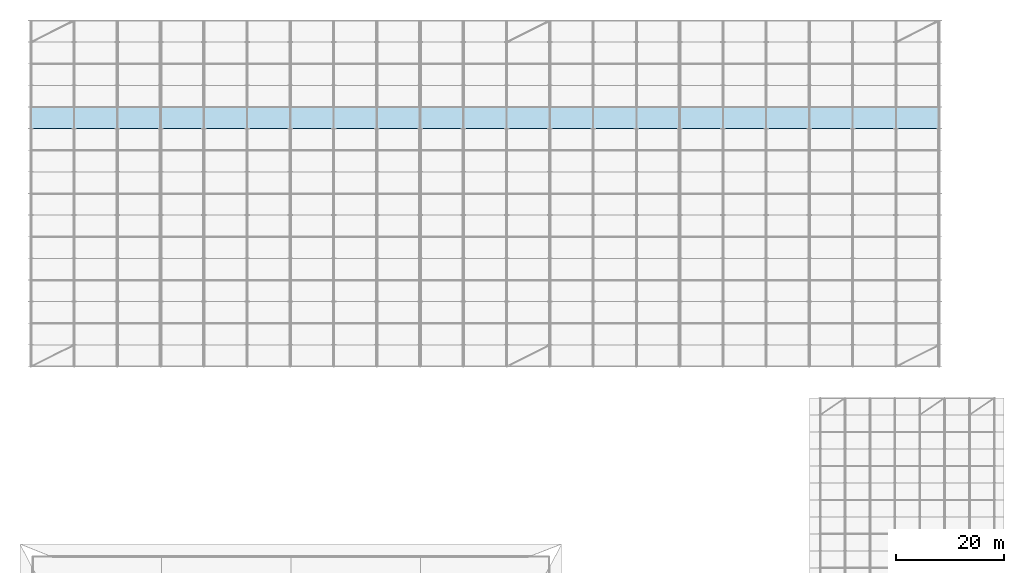
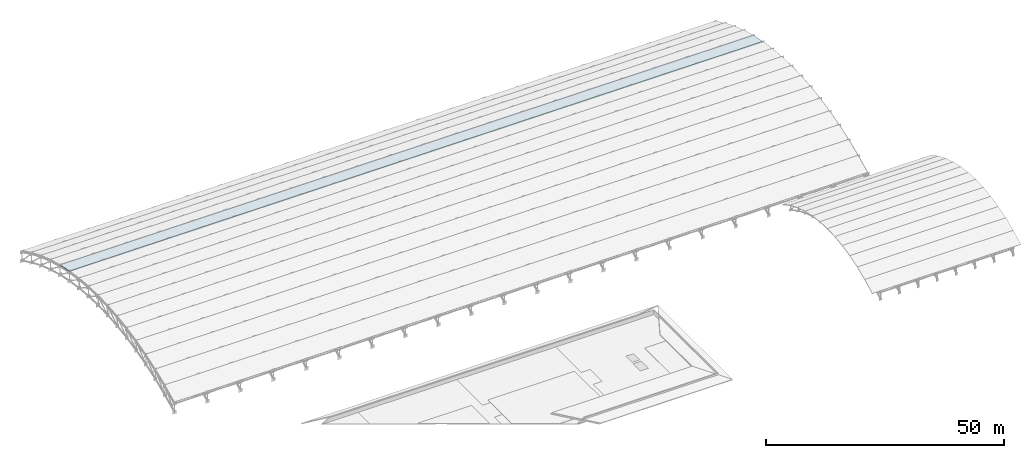
# One storey, part 84 of 98: 1 slab.
"""IFC4 building model written with IfcOpenShell, lengths in metres."""

from ifc_helpers import new_model, si_unit, direction, frame, origin, place, context, subcontext, project, spatial, polyline, outline, extrude, material, layer, layer_set, type_object, element, save


model = new_model("IFC4")

# Units and contexts
model_context = context("Model", 3, precision=1e-05, world=origin(), true_north=direction((0.0, 1.0)))
body_context = subcontext(model_context, "Body", "Model", "MODEL_VIEW")
ifc_project = project(units=[si_unit("LENGTHUNIT", "METRE"), si_unit("AREAUNIT", "SQUARE_METRE"), si_unit("VOLUMEUNIT", "CUBIC_METRE"), si_unit("PLANEANGLEUNIT", "RADIAN"), si_unit("MASSUNIT", "GRAM", prefix="KILO")], contexts=[model_context])

# Site, building, storey
site_placement = place(None, origin())
site = spatial("IfcSite", under=ifc_project, at=site_placement, CompositionType="ELEMENT")
building_placement = place(site_placement, origin())
building = spatial("IfcBuilding", under=site, at=building_placement, Name="Tlacozan Convention Centre", CompositionType="ELEMENT")
storey_placement = place(building_placement, frame((0.0, 0.0, 25.800048828125)))
storey = spatial("IfcBuildingStorey", under=building, at=storey_placement, Name="Roof", CompositionType="ELEMENT", Elevation=25.800048828125)

# Slab
ifc_material = material(Name="Concrete C40/50", Category="concrete")
ifc_layer = layer(ifc_material, 0.179931640625)
ifc_layer_set = layer_set([ifc_layer], Name="Concrete C40/50")
slab_type = type_object("IfcSlabType", Name="Exhibition Arched Roof Deck 180", PredefinedType="ROOF", material=ifc_layer_set)
slab_placement = place(storey_placement, frame((0.0, 106.0, -3.357177734375), z_axis=(0.0, 0.205995430674, 0.978552953366), x_axis=(1.0, 0.0, 0.0)))
element("IfcSlab", 1, at=slab_placement, inside=storey, type_object=slab_type, Name="V2A Arched Roof Facet Slab 12", PredefinedType="ROOF", context=body_context, shape_type="SweptSolid", body=[
    extrude(outline(polyline([(0.0, 0.0), (168.0, 0.0), (168.0, 4.0876684151230736), (0.0, 4.0876684151230736), (0.0, 0.0)])), origin(), (0.0, 0.0, -1.0), 0.179931640625),
])

save(model, "model.ifc")
